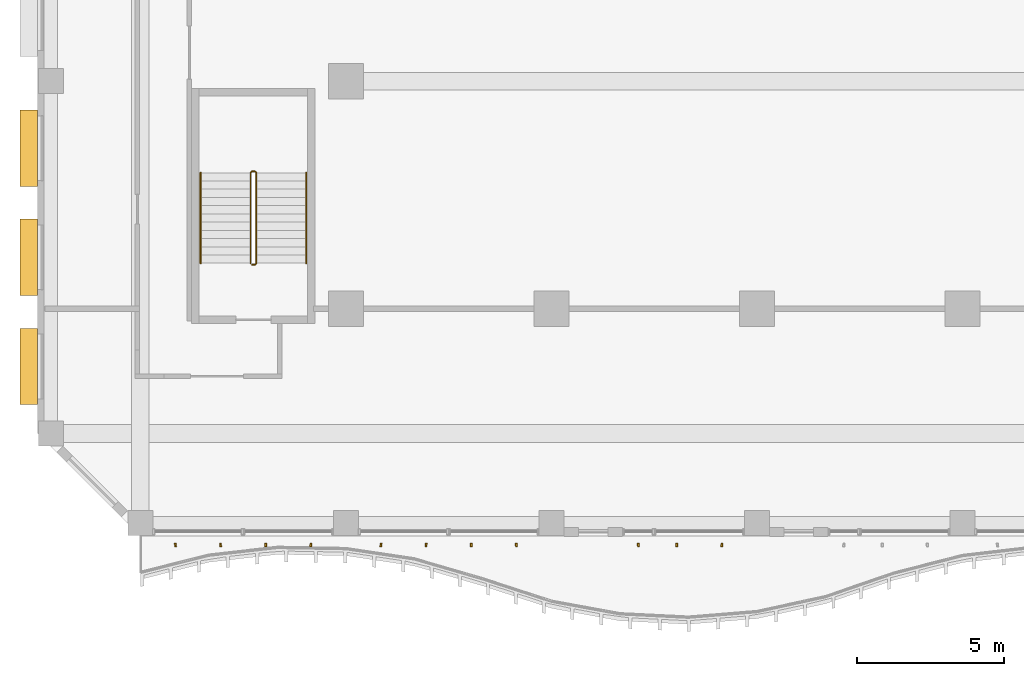
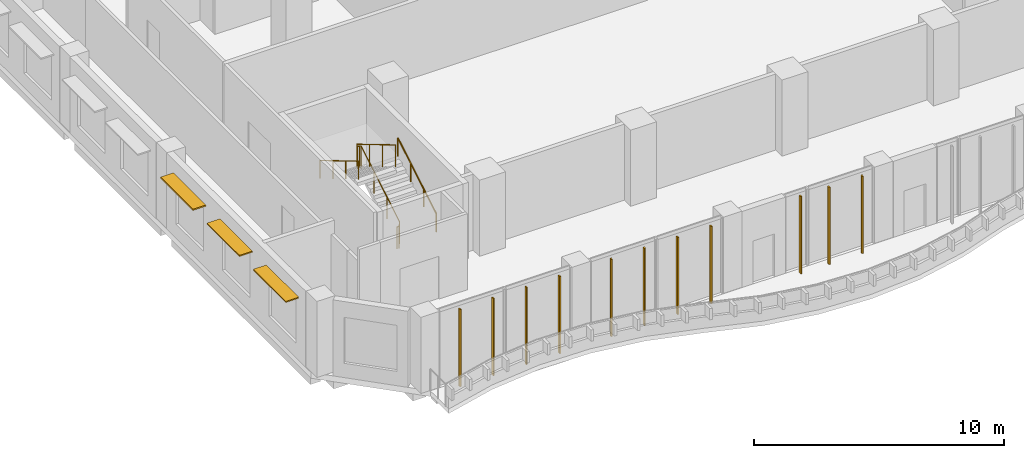
# One storey, part 18 of 25: 14 shading devices, 3 railings.
"""IFC4 building model written with IfcOpenShell, lengths in metres."""

import ifcopenshell
import ifcopenshell.guid

model = None  # the IFC model being written
_history = None  # IfcOwnerHistory: only IFC2X3 demands one
_inside = {}  # id of a spatial element -> (the spatial element, [elements in it])
_under = {}  # id of a project, library or spatial element -> (it, [spatial elements below it])
_declared = {}  # id of a project -> (the project, [libraries it declares])
_typed = {}  # id of a type object -> (the type object, [elements of that type])
_made_of = {}  # id of a material, layer set ... -> (it, [elements and type objects made of it])


def new_model(schema):
    """Start an empty IFC model of exactly this schema.

    Asked for "IFC4X3", IfcOpenShell would pick the latest addendum, in which some entities
    have other attributes; the version numbers below select the first issue.
    IFC2X3 requires an IfcOwnerHistory on every rooted entity: one is made here for all.
    """
    global model, _history
    if schema == "IFC4X3":
        model = ifcopenshell.file(schema_version=(4, 3, 0, 0))
    else:
        model = ifcopenshell.file(schema=schema)
    _inside.clear()
    _under.clear()
    _declared.clear()
    _typed.clear()
    _made_of.clear()
    _history = None
    if model.schema == "IFC2X3":
        org = make("IfcOrganization", Name="unknown")
        user = make(
            "IfcPersonAndOrganization",
            ThePerson=make("IfcPerson", FamilyName="unknown"),
            TheOrganization=org,
        )
        app = make(
            "IfcApplication",
            ApplicationDeveloper=org,
            Version="unknown",
            ApplicationFullName="unknown",
            ApplicationIdentifier="unknown",
        )
        _history = make(
            "IfcOwnerHistory",
            OwningUser=user,
            OwningApplication=app,
            ChangeAction="ADDED",
            CreationDate=0,
        )
    return model


def make(cls, **values):
    """One entity of the class cls with the attributes given. An attribute that is None is left unset."""
    return model.create_entity(
        cls, **{name: value for name, value in values.items() if value is not None}
    )


def rooted(cls, **values):
    """An entity with a GlobalId (a new one), such as an element, a storey or a relation."""
    return make(cls, GlobalId=ifcopenshell.guid.new(), OwnerHistory=_history, **values)


def si_unit(unit_type, name, prefix=None):
    """IfcSIUnit, for example si_unit("LENGTHUNIT", "METRE", prefix="MILLI")."""
    return make("IfcSIUnit", UnitType=unit_type, Prefix=prefix, Name=name)


def assignment(units):
    """IfcUnitAssignment: the units of a project."""
    return None if units is None else make("IfcUnitAssignment", Units=units)


def point(xyz):
    """IfcCartesianPoint."""
    return None if xyz is None else make("IfcCartesianPoint", Coordinates=xyz)


def direction(xyz):
    """IfcDirection."""
    return None if xyz is None else make("IfcDirection", DirectionRatios=xyz)


def frame(location, z_axis=None, x_axis=None):
    """IfcAxis2Placement3D, a coordinate frame: its origin and axes. An axis left out is left unset."""
    return make(
        "IfcAxis2Placement3D",
        Location=point(location),
        Axis=direction(z_axis),
        RefDirection=direction(x_axis),
    )


def frame_2d(location, x_axis=None):
    """IfcAxis2Placement2D, a coordinate frame in the plane: its origin and x axis."""
    return make(
        "IfcAxis2Placement2D", Location=point(location), RefDirection=direction(x_axis)
    )


def origin():
    """The frame at (0, 0, 0) with its axes left unset."""
    return frame((0.0, 0.0, 0.0))


def origin_2d():
    """The frame at (0, 0) in the plane with its x axis left unset."""
    return frame_2d((0.0, 0.0))


def place(relative_to, where):
    """IfcLocalPlacement: puts the frame where relative to a parent placement (None: the world)."""
    return make(
        "IfcLocalPlacement", PlacementRelTo=relative_to, RelativePlacement=where
    )


def context(
    kind, dimensions, precision=None, world=None, true_north=None, identifier=None
):
    """IfcGeometricRepresentationContext, for example the 3D "Model" context."""
    return make(
        "IfcGeometricRepresentationContext",
        ContextIdentifier=identifier,
        ContextType=kind,
        CoordinateSpaceDimension=dimensions,
        Precision=precision,
        WorldCoordinateSystem=world,
        TrueNorth=true_north,
    )


def subcontext(parent, identifier, kind, view, scale=None):
    """IfcGeometricRepresentationSubContext, for example "Body" below "Model"."""
    return make(
        "IfcGeometricRepresentationSubContext",
        ContextIdentifier=identifier,
        ContextType=kind,
        ParentContext=parent,
        TargetScale=scale,
        TargetView=view,
    )


def project(units=None, contexts=None):
    """IfcProject with its units and contexts."""
    return rooted(
        "IfcProject",
        Name="project",
        RepresentationContexts=contexts,
        UnitsInContext=assignment(units),
    )


def spatial(cls, under=None, at=None, **own):
    """A site, building, storey or space (cls), placed at a placement, below another one or the project."""
    s = rooted(cls, ObjectPlacement=at, **own)
    if under is not None:
        _under.setdefault(under.id(), (under, []))[1].append(s)
    return s


def profile(cls, at=None, kind="AREA", **sizes):
    """A parametric profile (cls). Its sizes go by their IFC names, for example OverallWidth=200.0."""
    return make(cls, ProfileType=kind, Position=at, **sizes)


def rectangle(**sizes):
    """IfcRectangleProfileDef."""
    return profile("IfcRectangleProfileDef", **sizes)


def circle(**sizes):
    """IfcCircleProfileDef."""
    return profile("IfcCircleProfileDef", **sizes)


def extrude(swept, where, along, depth):
    """IfcExtrudedAreaSolid: the profile swept, set in the frame where, extruded along a direction by depth."""
    return make(
        "IfcExtrudedAreaSolid",
        SweptArea=swept,
        Position=where,
        ExtrudedDirection=direction(along),
        Depth=depth,
    )


def shape(context_of_items, identifier, shape_type, items):
    """IfcShapeRepresentation: the items that make up one representation, for example the "Body"."""
    return make(
        "IfcShapeRepresentation",
        ContextOfItems=context_of_items,
        RepresentationIdentifier=identifier,
        RepresentationType=shape_type,
        Items=items,
    )


def source(mapping_origin, context_of_items, identifier, shape_type, items):
    """IfcRepresentationMap: a shape defined once, which mapped items show again and again."""
    return make(
        "IfcRepresentationMap",
        MappingOrigin=mapping_origin,
        MappedRepresentation=shape(context_of_items, identifier, shape_type, items),
    )


def transform(
    local_origin,
    x_axis=None,
    y_axis=None,
    z_axis=None,
    scale=None,
    scale2=None,
    scale3=None,
    uniform=True,
):
    """IfcCartesianTransformationOperator3D, or its non-uniform kind. x_axis, y_axis, z_axis: its Axis1, 2, 3."""
    if uniform:
        return make(
            "IfcCartesianTransformationOperator3D",
            Axis1=direction(x_axis),
            Axis2=direction(y_axis),
            LocalOrigin=point(local_origin),
            Scale=scale,
            Axis3=direction(z_axis),
        )
    return make(
        "IfcCartesianTransformationOperator3DnonUniform",
        Axis1=direction(x_axis),
        Axis2=direction(y_axis),
        LocalOrigin=point(local_origin),
        Scale=scale,
        Axis3=direction(z_axis),
        Scale2=scale2,
        Scale3=scale3,
    )


def mapped(mapping_source, mapping_target):
    """IfcMappedItem: shows the shape of a source again, moved by a transform."""
    return make(
        "IfcMappedItem", MappingSource=mapping_source, MappingTarget=mapping_target
    )


def material(Name=None, Category=None):
    """IfcMaterial."""
    return make("IfcMaterial", Name=Name, Category=Category)


def layer(
    of_material, thickness, ventilated=None, Name=None, Category=None, Priority=None
):
    """IfcMaterialLayer: one layer of a wall or slab, of a material (None: an air gap)."""
    return make(
        "IfcMaterialLayer",
        Material=of_material,
        LayerThickness=thickness,
        IsVentilated=ventilated,
        Name=Name,
        Category=Category,
        Priority=Priority,
    )


def layer_set(layers, Name=None):
    """IfcMaterialLayerSet."""
    return make("IfcMaterialLayerSet", MaterialLayers=layers, LayerSetName=Name)


def material_profile(
    of_material, cross_section, Name=None, Category=None, Priority=None
):
    """IfcMaterialProfile: a cross section and its material."""
    return make(
        "IfcMaterialProfile",
        Name=Name,
        Material=of_material,
        Profile=cross_section,
        Priority=Priority,
        Category=Category,
    )


def profile_set(profiles, Name=None, composite=None):
    """IfcMaterialProfileSet."""
    return make(
        "IfcMaterialProfileSet",
        Name=Name,
        MaterialProfiles=profiles,
        CompositeProfile=composite,
    )


def made_of(thing, what):
    """Note that an element or type object is made of a material, layer set ...; save() writes the relation."""
    if what is not None:
        _made_of.setdefault(what.id(), (what, []))[1].append(thing)
    return thing


def type_object(cls, material=None, **own):
    """A type object (cls), such as IfcWallType, which elements share."""
    return made_of(rooted(cls, **own), material)


def element(
    cls,
    number,
    at=None,
    inside=None,
    cuts=None,
    type_object=None,
    material=None,
    context=None,
    identifier="Body",
    shape_type=None,
    held_by="IfcProductDefinitionShape",
    body=None,
    shapes=None,
    **own,
):
    """One element of the class cls, such as IfcWall. Its Tag is "e" and its number.

    at: its placement. inside: the storey or other place that contains it. cuts: it is an
    opening in that element (IfcRelVoidsElement). A single representation is given by context,
    identifier, shape_type and body (its items); several are given by shapes. held_by: the class
    of the entity that holds the representations. save() writes the other relations.
    """
    e = rooted(cls, Tag="e%d" % number, ObjectPlacement=at, **own)
    if body is not None:
        shapes = [shape(context, identifier, shape_type, body)]
    if shapes is not None:
        e.Representation = make(held_by, Representations=shapes)
    if inside is not None:
        _inside.setdefault(inside.id(), (inside, []))[1].append(e)
    if cuts is not None:
        rooted(
            "IfcRelVoidsElement", RelatingBuildingElement=cuts, RelatedOpeningElement=e
        )
    if type_object is not None:
        _typed.setdefault(type_object.id(), (type_object, []))[1].append(e)
    return made_of(e, material)


def aggregate(whole, parts):
    """IfcRelAggregates: a whole, such as a stair, and the parts it consists of."""
    return rooted("IfcRelAggregates", RelatingObject=whole, RelatedObjects=parts)


def save(model, path):
    """Write the relations noted so far, then the file.

    IfcRelAggregates (storeys below a building ...), IfcRelContainedInSpatialStructure (elements
    in a storey), IfcRelDefinesByType, IfcRelAssociatesMaterial and IfcRelDeclares: one each for
    every whole, place, type object, material and project.
    """
    for whole, parts in _under.values():
        aggregate(whole, parts)
    for where, things in _inside.values():
        rooted(
            "IfcRelContainedInSpatialStructure",
            RelatedElements=things,
            RelatingStructure=where,
        )
    for kind, things in _typed.values():
        rooted("IfcRelDefinesByType", RelatedObjects=things, RelatingType=kind)
    for what, things in _made_of.values():
        rooted("IfcRelAssociatesMaterial", RelatedObjects=things, RelatingMaterial=what)
    for by, libraries in _declared.values():
        rooted("IfcRelDeclares", RelatingContext=by, RelatedDefinitions=libraries)
    model.write(path)


model = new_model("IFC4")

# Units and contexts
model_context = context("Model", 3, precision=1e-05, world=origin(), true_north=direction((0.0, 1.0)))
body_context = subcontext(model_context, "Body", "Model", "MODEL_VIEW")
ifc_project = project(units=[si_unit("LENGTHUNIT", "METRE"), si_unit("AREAUNIT", "SQUARE_METRE"), si_unit("VOLUMEUNIT", "CUBIC_METRE"), si_unit("PLANEANGLEUNIT", "RADIAN"), si_unit("MASSUNIT", "GRAM", prefix="KILO")], contexts=[model_context])

# Site, building, storey
site_placement = place(None, origin())
site = spatial("IfcSite", under=ifc_project, at=site_placement, CompositionType="ELEMENT")
building_placement = place(site_placement, origin())
building = spatial("IfcBuilding", under=site, at=building_placement, Name="Kilnfold Tower and Market Hall", CompositionType="ELEMENT")
storey_placement = place(building_placement, frame((0.0, 0.0, 120.60009765625)))
storey = spatial("IfcBuildingStorey", under=building, at=storey_placement, Name="L28", CompositionType="ELEMENT", Elevation=120.60009765625)

# Railings
ifc_material_1 = material(Name="Stainless steel 316", Category="steel")
railing_type_1 = type_object("IfcRailingType", Name="CORE STAIR GUARD 1100", PredefinedType="GUARDRAIL", material=ifc_material_1)
railing_1_placement = place(storey_placement, frame((-15.699951171875, -13.75, 0.0)))
element("IfcRailing", 1, at=railing_1_placement, inside=storey, type_object=railing_type_1, Name="L28 ST3 stair guard 1", PredefinedType="GUARDRAIL", context=body_context, shape_type="SweptSolid", body=[
    extrude(circle(Radius=0.02392578125, at=origin_2d()), frame((0.0, 0.0, 1.076171875), z_axis=(1.0, 0.0, 0.0), x_axis=(0.0, 1.0, 0.0)), (0.0, 0.0, 1.0), 0.099853515625),
    extrude(circle(Radius=0.02392578125, at=origin_2d()), frame((0.099853515625, 0.0, 1.076171875), z_axis=(0.27662974545, 0.27662974545, 0.920299933644), x_axis=(-0.707106781187, 0.707106781187, 0.0)), (0.0, 0.0, 1.0), 0.180908203125),
    extrude(circle(Radius=0.02392578125, at=origin_2d()), frame((0.14990234375, 0.050048828125, 1.24267578125), z_axis=(0.0, 0.859260807169, 0.511537745687), x_axis=(-1.0, 0.0, 0.0)), (0.0, 0.0, 1.0), 3.584228515625),
    extrude(circle(Radius=0.02392578125, at=origin_2d()), frame((0.14990234375, 3.1298828125, 3.076171875), z_axis=(-0.707106781187, 0.707106781187, 0.0), x_axis=(-0.707106781187, -0.707106781187, 0.0)), (0.0, 0.0, 1.0), 0.07080078125),
    extrude(circle(Radius=0.02392578125, at=origin_2d()), frame((0.099853515625, 3.179931640625, 3.076171875), z_axis=(-1.0, 0.0, 0.0), x_axis=(0.0, -1.0, 0.0)), (0.0, 0.0, 1.0), 0.099853515625),
    extrude(circle(Radius=0.02392578125, at=origin_2d()), frame((0.0, 3.179931640625, 3.076171875), z_axis=(-0.27662974545, -0.27662974545, 0.920299933644), x_axis=(0.707106781187, -0.707106781187, 0.0)), (0.0, 0.0, 1.0), 0.180908203125),
    extrude(circle(Radius=0.02392578125, at=origin_2d()), frame((-0.050048828125, 3.1298828125, 3.24267578125), z_axis=(0.0, -0.859260807169, 0.511537745687), x_axis=(1.0, 0.0, 0.0)), (0.0, 0.0, 1.0), 3.584228515625),
    extrude(circle(Radius=0.02099609375, at=origin_2d()), origin(), (0.0, 0.0, 1.0), 1.052001953125),
    extrude(circle(Radius=0.02099609375, at=origin_2d()), frame((0.099853515625, 0.0, 0.0)), (0.0, 0.0, 1.0), 1.052001953125),
    extrude(circle(Radius=0.02099609375, at=origin_2d()), frame((0.14990234375, 0.050048828125, 0.16650390625)), (0.0, 0.0, 1.0), 1.052001953125),
    extrude(circle(Radius=0.02099609375, at=origin_2d()), frame((0.14990234375, 1.07666015625, 0.777587890625)), (0.0, 0.0, 1.0), 1.052001953125),
    extrude(circle(Radius=0.02099609375, at=origin_2d()), frame((0.14990234375, 2.103271484375, 1.388916015625)), (0.0, 0.0, 1.0), 1.052001953125),
    extrude(circle(Radius=0.02099609375, at=origin_2d()), frame((0.14990234375, 3.1298828125, 2.0)), (0.0, 0.0, 1.0), 1.052001953125),
    extrude(circle(Radius=0.02099609375, at=origin_2d()), frame((0.099853515625, 3.179931640625, 2.0)), (0.0, 0.0, 1.0), 1.052001953125),
    extrude(circle(Radius=0.02099609375, at=origin_2d()), frame((0.0, 3.179931640625, 2.0)), (0.0, 0.0, 1.0), 1.052001953125),
    extrude(circle(Radius=0.02099609375, at=origin_2d()), frame((-0.050048828125, 3.1298828125, 2.16650390625)), (0.0, 0.0, 1.0), 1.052001953125),
    extrude(circle(Radius=0.02099609375, at=origin_2d()), frame((-0.050048828125, 2.103271484375, 2.777587890625)), (0.0, 0.0, 1.0), 1.052001953125),
    extrude(circle(Radius=0.02099609375, at=origin_2d()), frame((-0.050048828125, 1.07666015625, 3.388916015625)), (0.0, 0.0, 1.0), 1.052001953125),
    extrude(circle(Radius=0.02099609375, at=origin_2d()), frame((-0.050048828125, 0.050048828125, 4.0)), (0.0, 0.0, 1.0), 1.052001953125),
])
ifc_material_2 = material(Name="Stainless steel 316", Category="steel")
railing_type_2 = type_object("IfcRailingType", Name="CORE STAIR HANDRAIL 900", PredefinedType="HANDRAIL", material=ifc_material_2)
railing_2_placement = place(storey_placement, frame((-13.85009765625, -13.699951171875, 0.16650390625)))
element("IfcRailing", 2, at=railing_2_placement, inside=storey, type_object=railing_type_2, Name="L28 ST3 stair handrail 1", PredefinedType="HANDRAIL", context=body_context, shape_type="SweptSolid", body=[
    extrude(circle(Radius=0.02392578125, at=origin_2d()), frame((0.0, 0.0, 0.8759765625), z_axis=(0.0, 0.859260807169, 0.511537745687), x_axis=(-1.0, 0.0, 0.0)), (0.0, 0.0, 1.0), 3.584228515625),
    extrude(circle(Radius=0.02099609375, at=origin_2d()), origin(), (0.0, 0.0, 1.0), 0.851806640625),
    extrude(circle(Radius=0.02099609375, at=origin_2d()), frame((0.0, 1.026611328125, 0.611083984375)), (0.0, 0.0, 1.0), 0.851806640625),
    extrude(circle(Radius=0.02099609375, at=origin_2d()), frame((0.0, 2.05322265625, 1.222412109375)), (0.0, 0.0, 1.0), 0.851806640625),
    extrude(circle(Radius=0.02099609375, at=origin_2d()), frame((0.0, 3.079833984375, 1.83349609375)), (0.0, 0.0, 1.0), 0.851806640625),
])
railing_3_placement = place(storey_placement, frame((-17.449951171875, -10.6201171875, 2.16650390625)))
element("IfcRailing", 3, at=railing_3_placement, inside=storey, type_object=railing_type_2, Name="L28 ST3 stair handrail 2", PredefinedType="HANDRAIL", context=body_context, shape_type="SweptSolid", body=[
    extrude(circle(Radius=0.02392578125, at=origin_2d()), frame((0.0, 0.0, 0.8759765625), z_axis=(0.0, -0.859260807169, 0.511537745687), x_axis=(1.0, 0.0, 0.0)), (0.0, 0.0, 1.0), 3.584228515625),
    extrude(circle(Radius=0.02099609375, at=origin_2d()), origin(), (0.0, 0.0, 1.0), 0.851806640625),
    extrude(circle(Radius=0.02099609375, at=origin_2d()), frame((0.0, -1.026611328125, 0.611083984375)), (0.0, 0.0, 1.0), 0.851806640625),
    extrude(circle(Radius=0.02099609375, at=origin_2d()), frame((0.0, -2.05322265625, 1.222412109375)), (0.0, 0.0, 1.0), 0.851806640625),
    extrude(circle(Radius=0.02099609375, at=origin_2d()), frame((0.0, -3.079833984375, 1.83349609375)), (0.0, 0.0, 1.0), 0.851806640625),
])

# Shading devices
ifc_material_3 = material(Name="Terracotta", Category="masonry")
ifc_layer = layer(ifc_material_3, 0.06005859375)
ifc_layer_set = layer_set([ifc_layer], Name="Terracotta")
shading_device_type_1 = type_object("IfcShadingDeviceType", Name="SUNSHADE BLADE 600", PredefinedType="USERDEFINED", material=ifc_layer_set)
shared_shape_1 = source(origin(), body_context, "Body", "SweptSolid", [
    extrude(rectangle(XDim=2.60009765625, YDim=0.60009765625, at=origin_2d()), origin(), (0.0, 0.0, 1.0), 0.06005859375),
])
for number, where, z_axis, x_axis, name in (
    (4, (-23.300048828125, -9.783203125, 3.02978515625), (0.0, 0.0, 1.0), (0.0, -1.0, 0.0), "Sunshade L28 W"),
    (5, (-23.300048828125, -13.5, 3.02978515625), (0.0, 0.0, 1.0), (0.0, -1.0, 0.0), "Sunshade L28 W"),
    (6, (-23.300048828125, -17.216796875, 3.02978515625), (0.0, 0.0, 1.0), (0.0, -1.0, 0.0), "Sunshade L28 W"),
):
    element("IfcShadingDevice", number, at=place(storey_placement, frame(where, z_axis=z_axis, x_axis=x_axis)), inside=storey, type_object=shading_device_type_1, Name=name, ObjectType="SUNSHADE", PredefinedType="USERDEFINED", context=body_context, shape_type="MappedRepresentation", body=[
        mapped(shared_shape_1, transform((0.0, 0.0, 0.0))),
    ])
ifc_material_4 = material(Name="Terracotta", Category="masonry")
ifc_material_profile = material_profile(ifc_material_4, rectangle(XDim=0.06005859375, YDim=0.1201171875, at=origin_2d()), Name="BAG 60x120")
ifc_profile_set = profile_set([ifc_material_profile], Name="Terracotta")
shading_device_type_2 = type_object("IfcShadingDeviceType", Name="BAGUETTE", PredefinedType="USERDEFINED", material=ifc_profile_set)
shared_shape_2 = source(origin(), body_context, "Body", "SweptSolid", [
    extrude(rectangle(XDim=0.06005859375, YDim=0.1201171875, at=origin_2d()), origin(), (0.0, 0.0, 1.0), 3.77978515625),
])
for number, where, z_axis, x_axis, name in (
    (7, (-18.30615234375, -23.300048828125, 0.0), (0.0, 0.0, 1.0), (0.9905109025, 0.137434173439, 0.0), "Terracotta baguette L28 S"),
    (8, (-16.768798828125, -23.300048828125, 0.0), (0.0, 0.0, 1.0), (0.995745469951, 0.092146400207, 0.0), "Terracotta baguette L28 S"),
    (9, (-15.231201171875, -23.300048828125, 0.0), (0.0, 0.0, 1.0), (0.999990033903, 0.004464537395, 0.0), "Terracotta baguette L28 S"),
    (10, (-13.693603515625, -23.300048828125, 0.0), (0.0, 0.0, 1.0), (0.996356319849, -0.085288240082, 0.0), "Terracotta baguette L28 S"),
    (11, (-11.306396484375, -23.300048828125, 0.0), (0.0, 0.0, 1.0), (0.9905109025, -0.137434173439, 0.0), "Terracotta baguette L28 S"),
    (12, (-9.768798828125, -23.300048828125, 0.0), (0.0, 0.0, 1.0), (0.995745469951, -0.092146400207, 0.0), "Terracotta baguette L28 S"),
    (13, (-8.231201171875, -23.300048828125, 0.0), (0.0, 0.0, 1.0), (0.999990033903, -0.004464537395, 0.0), "Terracotta baguette L28 S"),
    (14, (-6.69384765625, -23.300048828125, 0.0), (0.0, 0.0, 1.0), (0.996356319849, 0.085288240082, 0.0), "Terracotta baguette L28 S"),
    (15, (-2.53759765625, -23.300048828125, 0.0), (0.0, 0.0, 1.0), (0.996727303692, 0.080837380425, 0.0), "Terracotta baguette L28 S"),
    (16, (-1.231201171875, -23.300048828125, 0.0), (0.0, 0.0, 1.0), (0.999990033903, 0.004464537395, 0.0), "Terracotta baguette L28 S"),
    (17, (0.30615234375, -23.300048828125, 0.0), (0.0, 0.0, 1.0), (0.996356319849, -0.085288240082, 0.0), "Terracotta baguette L28 S"),
):
    element("IfcShadingDevice", number, at=place(storey_placement, frame(where, z_axis=z_axis, x_axis=x_axis)), inside=storey, type_object=shading_device_type_2, Name=name, ObjectType="BAGUETTE", PredefinedType="USERDEFINED", context=body_context, shape_type="MappedRepresentation", body=[
        mapped(shared_shape_2, transform((0.0, 0.0, 0.0))),
    ])

save(model, "model.ifc")
